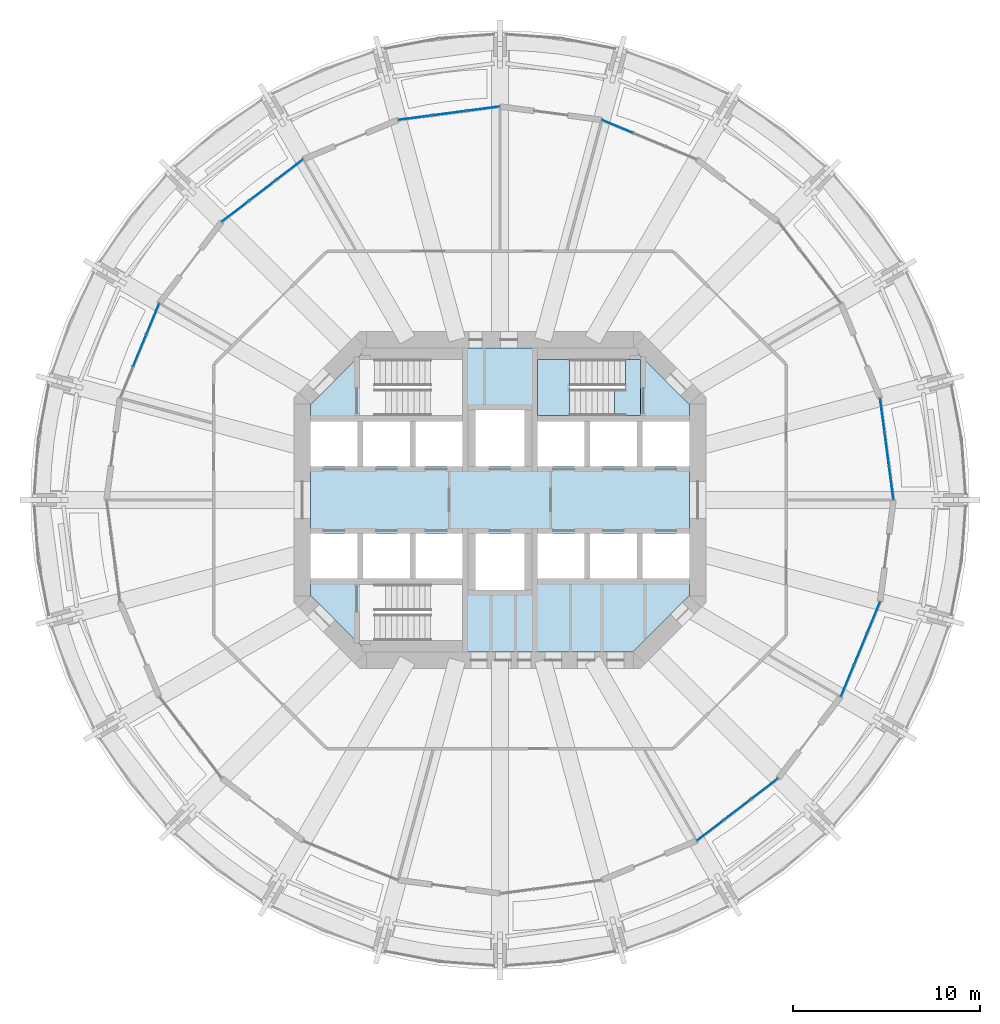
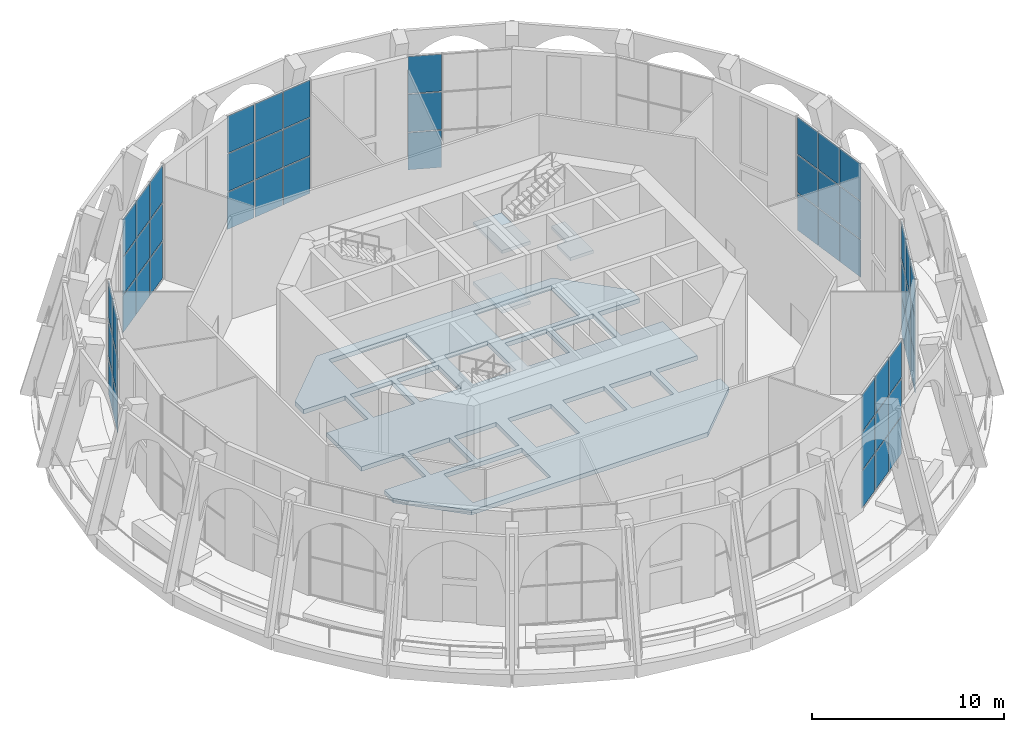
# One storey, part 10 of 18: 54 plates, 4 slabs, 8 elements without a shape of their own.
"""IFC4 building model written with IfcOpenShell, lengths in metres."""

from ifc_helpers import new_model, si_unit, direction, frame, origin, origin_2d, place, context, subcontext, project, spatial, polyline, rectangle, outline, extrude, material, layer, layer_set, type_object, element, aggregate, save


model = new_model("IFC4")

# Units and contexts
model_context = context("Model", 3, precision=1e-05, world=origin(), true_north=direction((0.0, 1.0)))
body_context = subcontext(model_context, "Body", "Model", "MODEL_VIEW")
ifc_project = project(units=[si_unit("LENGTHUNIT", "METRE"), si_unit("AREAUNIT", "SQUARE_METRE"), si_unit("VOLUMEUNIT", "CUBIC_METRE"), si_unit("PLANEANGLEUNIT", "RADIAN"), si_unit("MASSUNIT", "GRAM", prefix="KILO")], contexts=[model_context])

# Site, building, storey
site_placement = place(None, origin())
site = spatial("IfcSite", under=ifc_project, at=site_placement, CompositionType="ELEMENT")
building_placement = place(site_placement, origin())
building = spatial("IfcBuilding", under=site, at=building_placement, Name="Torre Triforio", CompositionType="ELEMENT")
storey_placement = place(building_placement, frame((0.0, 0.0, 146.60009765625)))
storey = spatial("IfcBuildingStorey", under=building, at=storey_placement, Name="L33", CompositionType="ELEMENT", Elevation=146.60009765625)

# Slab
ifc_material_1 = material(Name="Concrete C60", Category="concrete")
ifc_layer_1 = layer(ifc_material_1, 0.280029296875)
ifc_layer_set_1 = layer_set([ifc_layer_1], Name="Concrete C60")
slab_type_1 = type_object("IfcSlabType", Name="Core floor slab 280 mm C60 REI 120", PredefinedType="FLOOR", material=ifc_layer_set_1)
slab_1_placement = place(storey_placement, frame((0.0, 0.0, -0.280029296875)))
element("IfcSlab", 1, at=slab_1_placement, inside=storey, type_object=slab_type_1, Name="Core floor slab", PredefinedType="FLOOR", context=body_context, shape_type="SweptSolid", body=[
    extrude(outline(polyline([(10.10009765625, -5.10009765625), (7.10009765625, -8.10009765625), (-7.10009765625, -8.10009765625), (-10.10009765625, -5.10009765625), (-10.10009765625, -4.199951171875), (-7.60009765625, -4.199951171875), (-7.60009765625, -1.800048828125), (-10.10009765625, -1.800048828125), (-10.10009765625, 1.800048828125), (-7.60009765625, 1.800048828125), (-7.60009765625, 4.199951171875), (-10.10009765625, 4.199951171875), (-10.10009765625, 5.10009765625), (-7.10009765625, 8.10009765625), (7.10009765625, 8.10009765625), (10.10009765625, 5.10009765625), (10.10009765625, 4.199951171875), (7.60009765625, 4.199951171875), (7.60009765625, 1.800048828125), (10.10009765625, 1.800048828125), (10.10009765625, -1.800048828125), (7.60009765625, -1.800048828125), (7.60009765625, -4.199951171875), (10.10009765625, -4.199951171875), (10.10009765625, -5.10009765625)]), holes=[polyline([(-2.0, -4.5), (-6.696044921875, -4.5), (-6.696044921875, -7.5), (-2.0, -7.5), (-2.0, -4.5)]), polyline([(-4.800048828125, -1.800048828125), (-7.300048828125, -1.800048828125), (-7.300048828125, -4.199951171875), (-4.800048828125, -4.199951171875), (-4.800048828125, -1.800048828125)]), polyline([(-2.0, -1.800048828125), (-4.5, -1.800048828125), (-4.5, -4.199951171875), (-2.0, -4.199951171875), (-2.0, -1.800048828125)]), polyline([(-4.800048828125, 4.199951171875), (-7.300048828125, 4.199951171875), (-7.300048828125, 1.800048828125), (-4.800048828125, 1.800048828125), (-4.800048828125, 4.199951171875)]), polyline([(-2.0, 4.199951171875), (-4.5, 4.199951171875), (-4.5, 1.800048828125), (-2.0, 1.800048828125), (-2.0, 4.199951171875)]), polyline([(1.300048828125, 4.800048828125), (-1.300048828125, 4.800048828125), (-1.300048828125, 1.800048828125), (1.300048828125, 1.800048828125), (1.300048828125, 4.800048828125)]), polyline([(-2.0, 7.5), (-6.696044921875, 7.5), (-6.696044921875, 4.5), (-2.0, 4.5), (-2.0, 7.5)]), polyline([(1.300048828125, -1.800048828125), (-1.300048828125, -1.800048828125), (-1.300048828125, -4.800048828125), (1.300048828125, -4.800048828125), (1.300048828125, -1.800048828125)]), polyline([(4.5, -1.800048828125), (2.0, -1.800048828125), (2.0, -4.199951171875), (4.5, -4.199951171875), (4.5, -1.800048828125)]), polyline([(7.300048828125, -1.800048828125), (4.800048828125, -1.800048828125), (4.800048828125, -4.199951171875), (7.300048828125, -4.199951171875), (7.300048828125, -1.800048828125)]), polyline([(4.5, 4.199951171875), (2.0, 4.199951171875), (2.0, 1.800048828125), (4.5, 1.800048828125), (4.5, 4.199951171875)]), polyline([(7.300048828125, 4.199951171875), (4.800048828125, 4.199951171875), (4.800048828125, 1.800048828125), (7.300048828125, 1.800048828125), (7.300048828125, 4.199951171875)]), polyline([(6.696044921875, 4.5), (6.696044921875, 7.5), (2.0, 7.5), (2.0, 4.5), (6.696044921875, 4.5)])]), origin(), (0.0, 0.0, 1.0), 0.280029296875),
])

# Curtain wall, plates
ifc_material_2 = material(Name="Aluminium mullion and transom frame with clear laminated glass", Category="aluminium")
curtain_wall_type = type_object("IfcCurtainWallType", Name="Sky garden conservatory wall ECW3", PredefinedType="NOTDEFINED", material=ifc_material_2)
curtain_wall_1_placement = place(storey_placement, origin())
curtain_wall_1 = element("IfcCurtainWall", 2, at=curtain_wall_1_placement, inside=storey, type_object=curtain_wall_type, Name="Conservatory wall L33 bay 01", PredefinedType="NOTDEFINED")
ifc_material_3 = material(Name="Clear laminated glass", Category="glass")
ifc_layer_2 = layer(ifc_material_3, 0.028076171875)
ifc_layer_set_2 = layer_set([ifc_layer_2], Name="Clear laminated glass")
plate_type = type_object("IfcPlateType", Name="ECW3 glass panel 28", PredefinedType="CURTAIN_PANEL", material=ifc_layer_set_2)
plate_1_placement = place(storey_placement, frame((20.88134765625, 0.90087890625, 0.059814453125), z_axis=(0.0, 0.0, 1.0), x_axis=(-0.130530127386, 0.991444343291, 0.0)))
plate_1 = element("IfcPlate", 3, at=plate_1_placement, type_object=plate_type, Name="ECW3 panel 1.1", PredefinedType="CURTAIN_PANEL", context=body_context, shape_type="SweptSolid", body=[
    extrude(rectangle(XDim=1.75732421875, YDim=0.028076171875, at=origin_2d()), origin(), (0.0, 0.0, 1.0), 2.35009765625),
])
plate_2_placement = place(storey_placement, frame((20.88134765625, 0.90087890625, 2.469970703125), z_axis=(0.0, 0.0, 1.0), x_axis=(-0.130530127386, 0.991444343291, 0.0)))
plate_2 = element("IfcPlate", 4, at=plate_2_placement, type_object=plate_type, Name="ECW3 panel 1.2", PredefinedType="CURTAIN_PANEL", context=body_context, shape_type="SweptSolid", body=[
    extrude(rectangle(XDim=1.75732421875, YDim=0.028076171875, at=origin_2d()), origin(), (0.0, 0.0, 1.0), 2.3798828125),
])
plate_3_placement = place(storey_placement, frame((20.88134765625, 0.90087890625, 4.909912109375), z_axis=(0.0, 0.0, 1.0), x_axis=(-0.130530127386, 0.991444343291, 0.0)))
plate_3 = element("IfcPlate", 5, at=plate_3_placement, type_object=plate_type, Name="ECW3 panel 1.3", PredefinedType="CURTAIN_PANEL", context=body_context, shape_type="SweptSolid", body=[
    extrude(rectangle(XDim=1.75732421875, YDim=0.028076171875, at=origin_2d()), origin(), (0.0, 0.0, 1.0), 2.35009765625),
])
plate_4_placement = place(storey_placement, frame((20.64208984375, 2.717529296875, 0.059814453125), z_axis=(0.0, 0.0, 1.0), x_axis=(-0.130530127386, 0.991444343291, 0.0)))
plate_4 = element("IfcPlate", 6, at=plate_4_placement, type_object=plate_type, Name="ECW3 panel 2.1", PredefinedType="CURTAIN_PANEL", context=body_context, shape_type="SweptSolid", body=[
    extrude(rectangle(XDim=1.787353515625, YDim=0.028076171875, at=origin_2d()), origin(), (0.0, 0.0, 1.0), 2.35009765625),
])
plate_5_placement = place(storey_placement, frame((20.64208984375, 2.717529296875, 2.469970703125), z_axis=(0.0, 0.0, 1.0), x_axis=(-0.130530127386, 0.991444343291, 0.0)))
plate_5 = element("IfcPlate", 7, at=plate_5_placement, type_object=plate_type, Name="ECW3 panel 2.2", PredefinedType="CURTAIN_PANEL", context=body_context, shape_type="SweptSolid", body=[
    extrude(rectangle(XDim=1.787353515625, YDim=0.028076171875, at=origin_2d()), origin(), (0.0, 0.0, 1.0), 2.3798828125),
])
plate_6_placement = place(storey_placement, frame((20.64208984375, 2.717529296875, 4.909912109375), z_axis=(0.0, 0.0, 1.0), x_axis=(-0.130530127386, 0.991444343291, 0.0)))
plate_6 = element("IfcPlate", 8, at=plate_6_placement, type_object=plate_type, Name="ECW3 panel 2.3", PredefinedType="CURTAIN_PANEL", context=body_context, shape_type="SweptSolid", body=[
    extrude(rectangle(XDim=1.787353515625, YDim=0.028076171875, at=origin_2d()), origin(), (0.0, 0.0, 1.0), 2.35009765625),
])
plate_7_placement = place(storey_placement, frame((20.403076171875, 4.5341796875, 0.059814453125), z_axis=(0.0, 0.0, 1.0), x_axis=(-0.130530127386, 0.991444343291, 0.0)))
plate_7 = element("IfcPlate", 9, at=plate_7_placement, type_object=plate_type, Name="ECW3 panel 3.1", PredefinedType="CURTAIN_PANEL", context=body_context, shape_type="SweptSolid", body=[
    extrude(rectangle(XDim=1.75732421875, YDim=0.028076171875, at=origin_2d()), origin(), (0.0, 0.0, 1.0), 2.35009765625),
])
plate_8_placement = place(storey_placement, frame((20.403076171875, 4.5341796875, 2.469970703125), z_axis=(0.0, 0.0, 1.0), x_axis=(-0.130530127386, 0.991444343291, 0.0)))
plate_8 = element("IfcPlate", 10, at=plate_8_placement, type_object=plate_type, Name="ECW3 panel 3.2", PredefinedType="CURTAIN_PANEL", context=body_context, shape_type="SweptSolid", body=[
    extrude(rectangle(XDim=1.75732421875, YDim=0.028076171875, at=origin_2d()), origin(), (0.0, 0.0, 1.0), 2.3798828125),
])
plate_9_placement = place(storey_placement, frame((20.403076171875, 4.5341796875, 4.909912109375), z_axis=(0.0, 0.0, 1.0), x_axis=(-0.130530127386, 0.991444343291, 0.0)))
plate_9 = element("IfcPlate", 11, at=plate_9_placement, type_object=plate_type, Name="ECW3 panel 3.3", PredefinedType="CURTAIN_PANEL", context=body_context, shape_type="SweptSolid", body=[
    extrude(rectangle(XDim=1.75732421875, YDim=0.028076171875, at=origin_2d()), origin(), (0.0, 0.0, 1.0), 2.35009765625),
])
aggregate(curtain_wall_1, [plate_1, plate_2, plate_3, plate_4, plate_5, plate_6, plate_7, plate_8, plate_9])

curtain_wall_2_placement = place(storey_placement, origin())
curtain_wall_2 = element("IfcCurtainWall", 12, at=curtain_wall_2_placement, inside=storey, type_object=curtain_wall_type, Name="Conservatory wall L33 bay 05", PredefinedType="NOTDEFINED")
plate_10_placement = place(storey_placement, frame((6.274658203125, 19.936767578125, 0.059814453125), z_axis=(0.0, 0.0, 1.0), x_axis=(-0.923883122974, 0.382674764107, 0.0)))
plate_10 = element("IfcPlate", 13, at=plate_10_placement, type_object=plate_type, Name="ECW3 panel 3.1", PredefinedType="CURTAIN_PANEL", context=body_context, shape_type="SweptSolid", body=[
    extrude(rectangle(XDim=1.75732421875, YDim=0.028076171875, at=origin_2d()), origin(), (0.0, 0.0, 1.0), 2.35009765625),
])
plate_11_placement = place(storey_placement, frame((6.274658203125, 19.936767578125, 2.469970703125), z_axis=(0.0, 0.0, 1.0), x_axis=(-0.923883122974, 0.382674764107, 0.0)))
plate_11 = element("IfcPlate", 14, at=plate_11_placement, type_object=plate_type, Name="ECW3 panel 3.2", PredefinedType="CURTAIN_PANEL", context=body_context, shape_type="SweptSolid", body=[
    extrude(rectangle(XDim=1.75732421875, YDim=0.028076171875, at=origin_2d()), origin(), (0.0, 0.0, 1.0), 2.3798828125),
])
plate_12_placement = place(storey_placement, frame((6.274658203125, 19.936767578125, 4.909912109375), z_axis=(0.0, 0.0, 1.0), x_axis=(-0.923883122974, 0.382674764107, 0.0)))
plate_12 = element("IfcPlate", 15, at=plate_12_placement, type_object=plate_type, Name="ECW3 panel 3.3", PredefinedType="CURTAIN_PANEL", context=body_context, shape_type="SweptSolid", body=[
    extrude(rectangle(XDim=1.75732421875, YDim=0.028076171875, at=origin_2d()), origin(), (0.0, 0.0, 1.0), 2.35009765625),
])
aggregate(curtain_wall_2, [plate_10, plate_11, plate_12])

curtain_wall_3_placement = place(storey_placement, origin())
curtain_wall_3 = element("IfcCurtainWall", 16, at=curtain_wall_3_placement, inside=storey, type_object=curtain_wall_type, Name="Conservatory wall L33 bay 07", PredefinedType="NOTDEFINED")
plate_13_placement = place(storey_placement, frame((-0.90087890625, 20.88134765625, 0.059814453125), z_axis=(0.0, 0.0, 1.0), x_axis=(-0.991444343291, -0.130530127386, 0.0)))
plate_13 = element("IfcPlate", 17, at=plate_13_placement, type_object=plate_type, Name="ECW3 panel 1.1", PredefinedType="CURTAIN_PANEL", context=body_context, shape_type="SweptSolid", body=[
    extrude(rectangle(XDim=1.75732421875, YDim=0.028076171875, at=origin_2d()), origin(), (0.0, 0.0, 1.0), 2.35009765625),
])
plate_14_placement = place(storey_placement, frame((-0.90087890625, 20.88134765625, 2.469970703125), z_axis=(0.0, 0.0, 1.0), x_axis=(-0.991444343291, -0.130530127386, 0.0)))
plate_14 = element("IfcPlate", 18, at=plate_14_placement, type_object=plate_type, Name="ECW3 panel 1.2", PredefinedType="CURTAIN_PANEL", context=body_context, shape_type="SweptSolid", body=[
    extrude(rectangle(XDim=1.75732421875, YDim=0.028076171875, at=origin_2d()), origin(), (0.0, 0.0, 1.0), 2.3798828125),
])
plate_15_placement = place(storey_placement, frame((-0.90087890625, 20.88134765625, 4.909912109375), z_axis=(0.0, 0.0, 1.0), x_axis=(-0.991444343291, -0.130530127386, 0.0)))
plate_15 = element("IfcPlate", 19, at=plate_15_placement, type_object=plate_type, Name="ECW3 panel 1.3", PredefinedType="CURTAIN_PANEL", context=body_context, shape_type="SweptSolid", body=[
    extrude(rectangle(XDim=1.75732421875, YDim=0.028076171875, at=origin_2d()), origin(), (0.0, 0.0, 1.0), 2.35009765625),
])
plate_16_placement = place(storey_placement, frame((-2.717529296875, 20.64208984375, 0.059814453125), z_axis=(0.0, 0.0, 1.0), x_axis=(-0.991444343291, -0.130530127386, 0.0)))
plate_16 = element("IfcPlate", 20, at=plate_16_placement, type_object=plate_type, Name="ECW3 panel 2.1", PredefinedType="CURTAIN_PANEL", context=body_context, shape_type="SweptSolid", body=[
    extrude(rectangle(XDim=1.787353515625, YDim=0.028076171875, at=origin_2d()), origin(), (0.0, 0.0, 1.0), 2.35009765625),
])
plate_17_placement = place(storey_placement, frame((-2.717529296875, 20.64208984375, 2.469970703125), z_axis=(0.0, 0.0, 1.0), x_axis=(-0.991444343291, -0.130530127386, 0.0)))
plate_17 = element("IfcPlate", 21, at=plate_17_placement, type_object=plate_type, Name="ECW3 panel 2.2", PredefinedType="CURTAIN_PANEL", context=body_context, shape_type="SweptSolid", body=[
    extrude(rectangle(XDim=1.787353515625, YDim=0.028076171875, at=origin_2d()), origin(), (0.0, 0.0, 1.0), 2.3798828125),
])
plate_18_placement = place(storey_placement, frame((-2.717529296875, 20.64208984375, 4.909912109375), z_axis=(0.0, 0.0, 1.0), x_axis=(-0.991444343291, -0.130530127386, 0.0)))
plate_18 = element("IfcPlate", 22, at=plate_18_placement, type_object=plate_type, Name="ECW3 panel 2.3", PredefinedType="CURTAIN_PANEL", context=body_context, shape_type="SweptSolid", body=[
    extrude(rectangle(XDim=1.787353515625, YDim=0.028076171875, at=origin_2d()), origin(), (0.0, 0.0, 1.0), 2.35009765625),
])
plate_19_placement = place(storey_placement, frame((-4.5341796875, 20.403076171875, 0.059814453125), z_axis=(0.0, 0.0, 1.0), x_axis=(-0.991444343291, -0.130530127386, 0.0)))
plate_19 = element("IfcPlate", 23, at=plate_19_placement, type_object=plate_type, Name="ECW3 panel 3.1", PredefinedType="CURTAIN_PANEL", context=body_context, shape_type="SweptSolid", body=[
    extrude(rectangle(XDim=1.75732421875, YDim=0.028076171875, at=origin_2d()), origin(), (0.0, 0.0, 1.0), 2.35009765625),
])
plate_20_placement = place(storey_placement, frame((-4.5341796875, 20.403076171875, 2.469970703125), z_axis=(0.0, 0.0, 1.0), x_axis=(-0.991444343291, -0.130530127386, 0.0)))
plate_20 = element("IfcPlate", 24, at=plate_20_placement, type_object=plate_type, Name="ECW3 panel 3.2", PredefinedType="CURTAIN_PANEL", context=body_context, shape_type="SweptSolid", body=[
    extrude(rectangle(XDim=1.75732421875, YDim=0.028076171875, at=origin_2d()), origin(), (0.0, 0.0, 1.0), 2.3798828125),
])
plate_21_placement = place(storey_placement, frame((-4.5341796875, 20.403076171875, 4.909912109375), z_axis=(0.0, 0.0, 1.0), x_axis=(-0.991444343291, -0.130530127386, 0.0)))
plate_21 = element("IfcPlate", 25, at=plate_21_placement, type_object=plate_type, Name="ECW3 panel 3.3", PredefinedType="CURTAIN_PANEL", context=body_context, shape_type="SweptSolid", body=[
    extrude(rectangle(XDim=1.75732421875, YDim=0.028076171875, at=origin_2d()), origin(), (0.0, 0.0, 1.0), 2.35009765625),
])
aggregate(curtain_wall_3, [plate_13, plate_14, plate_15, plate_16, plate_17, plate_18, plate_19, plate_20, plate_21])

curtain_wall_4_placement = place(storey_placement, origin())
curtain_wall_4 = element("IfcCurtainWall", 26, at=curtain_wall_4_placement, inside=storey, type_object=curtain_wall_type, Name="Conservatory wall L33 bay 09", PredefinedType="NOTDEFINED")
plate_22_placement = place(storey_placement, frame((-11.220947265625, 17.63330078125, 0.059814453125), z_axis=(0.0, 0.0, 1.0), x_axis=(-0.793351885029, -0.608763325538, 0.0)))
plate_22 = element("IfcPlate", 27, at=plate_22_placement, type_object=plate_type, Name="ECW3 panel 1.1", PredefinedType="CURTAIN_PANEL", context=body_context, shape_type="SweptSolid", body=[
    extrude(rectangle(XDim=1.75732421875, YDim=0.028076171875, at=origin_2d()), origin(), (0.0, 0.0, 1.0), 2.35009765625),
])
plate_23_placement = place(storey_placement, frame((-11.220947265625, 17.63330078125, 2.469970703125), z_axis=(0.0, 0.0, 1.0), x_axis=(-0.793351885029, -0.608763325538, 0.0)))
plate_23 = element("IfcPlate", 28, at=plate_23_placement, type_object=plate_type, Name="ECW3 panel 1.2", PredefinedType="CURTAIN_PANEL", context=body_context, shape_type="SweptSolid", body=[
    extrude(rectangle(XDim=1.75732421875, YDim=0.028076171875, at=origin_2d()), origin(), (0.0, 0.0, 1.0), 2.3798828125),
])
plate_24_placement = place(storey_placement, frame((-11.220947265625, 17.63330078125, 4.909912109375), z_axis=(0.0, 0.0, 1.0), x_axis=(-0.793351885029, -0.608763325538, 0.0)))
plate_24 = element("IfcPlate", 29, at=plate_24_placement, type_object=plate_type, Name="ECW3 panel 1.3", PredefinedType="CURTAIN_PANEL", context=body_context, shape_type="SweptSolid", body=[
    extrude(rectangle(XDim=1.75732421875, YDim=0.028076171875, at=origin_2d()), origin(), (0.0, 0.0, 1.0), 2.35009765625),
])
plate_25_placement = place(storey_placement, frame((-12.674560546875, 16.517822265625, 0.059814453125), z_axis=(0.0, 0.0, 1.0), x_axis=(-0.793351885029, -0.608763325538, 0.0)))
plate_25 = element("IfcPlate", 30, at=plate_25_placement, type_object=plate_type, Name="ECW3 panel 2.1", PredefinedType="CURTAIN_PANEL", context=body_context, shape_type="SweptSolid", body=[
    extrude(rectangle(XDim=1.787353515625, YDim=0.028076171875, at=origin_2d()), origin(), (0.0, 0.0, 1.0), 2.35009765625),
])
plate_26_placement = place(storey_placement, frame((-12.674560546875, 16.517822265625, 2.469970703125), z_axis=(0.0, 0.0, 1.0), x_axis=(-0.793351885029, -0.608763325538, 0.0)))
plate_26 = element("IfcPlate", 31, at=plate_26_placement, type_object=plate_type, Name="ECW3 panel 2.2", PredefinedType="CURTAIN_PANEL", context=body_context, shape_type="SweptSolid", body=[
    extrude(rectangle(XDim=1.787353515625, YDim=0.028076171875, at=origin_2d()), origin(), (0.0, 0.0, 1.0), 2.3798828125),
])
plate_27_placement = place(storey_placement, frame((-12.674560546875, 16.517822265625, 4.909912109375), z_axis=(0.0, 0.0, 1.0), x_axis=(-0.793351885029, -0.608763325538, 0.0)))
plate_27 = element("IfcPlate", 32, at=plate_27_placement, type_object=plate_type, Name="ECW3 panel 2.3", PredefinedType="CURTAIN_PANEL", context=body_context, shape_type="SweptSolid", body=[
    extrude(rectangle(XDim=1.787353515625, YDim=0.028076171875, at=origin_2d()), origin(), (0.0, 0.0, 1.0), 2.35009765625),
])
plate_28_placement = place(storey_placement, frame((-14.12841796875, 15.40234375, 0.059814453125), z_axis=(0.0, 0.0, 1.0), x_axis=(-0.793351885029, -0.608763325538, 0.0)))
plate_28 = element("IfcPlate", 33, at=plate_28_placement, type_object=plate_type, Name="ECW3 panel 3.1", PredefinedType="CURTAIN_PANEL", context=body_context, shape_type="SweptSolid", body=[
    extrude(rectangle(XDim=1.75732421875, YDim=0.028076171875, at=origin_2d()), origin(), (0.0, 0.0, 1.0), 2.35009765625),
])
plate_29_placement = place(storey_placement, frame((-14.12841796875, 15.40234375, 2.469970703125), z_axis=(0.0, 0.0, 1.0), x_axis=(-0.793351885029, -0.608763325538, 0.0)))
plate_29 = element("IfcPlate", 34, at=plate_29_placement, type_object=plate_type, Name="ECW3 panel 3.2", PredefinedType="CURTAIN_PANEL", context=body_context, shape_type="SweptSolid", body=[
    extrude(rectangle(XDim=1.75732421875, YDim=0.028076171875, at=origin_2d()), origin(), (0.0, 0.0, 1.0), 2.3798828125),
])
plate_30_placement = place(storey_placement, frame((-14.12841796875, 15.40234375, 4.909912109375), z_axis=(0.0, 0.0, 1.0), x_axis=(-0.793351885029, -0.608763325538, 0.0)))
plate_30 = element("IfcPlate", 35, at=plate_30_placement, type_object=plate_type, Name="ECW3 panel 3.3", PredefinedType="CURTAIN_PANEL", context=body_context, shape_type="SweptSolid", body=[
    extrude(rectangle(XDim=1.75732421875, YDim=0.028076171875, at=origin_2d()), origin(), (0.0, 0.0, 1.0), 2.35009765625),
])
aggregate(curtain_wall_4, [plate_22, plate_23, plate_24, plate_25, plate_26, plate_27, plate_28, plate_29, plate_30])

curtain_wall_5_placement = place(storey_placement, origin())
curtain_wall_5 = element("IfcCurtainWall", 36, at=curtain_wall_5_placement, inside=storey, type_object=curtain_wall_type, Name="Conservatory wall L33 bay 11", PredefinedType="NOTDEFINED")
plate_31_placement = place(storey_placement, frame((-18.534423828125, 9.660400390625, 0.059814453125), z_axis=(0.0, 0.0, 1.0), x_axis=(-0.382674764107, -0.923883122974, 0.0)))
plate_31 = element("IfcPlate", 37, at=plate_31_placement, type_object=plate_type, Name="ECW3 panel 1.1", PredefinedType="CURTAIN_PANEL", context=body_context, shape_type="SweptSolid", body=[
    extrude(rectangle(XDim=1.75732421875, YDim=0.028076171875, at=origin_2d()), origin(), (0.0, 0.0, 1.0), 2.35009765625),
])
plate_32_placement = place(storey_placement, frame((-18.534423828125, 9.660400390625, 2.469970703125), z_axis=(0.0, 0.0, 1.0), x_axis=(-0.382674764107, -0.923883122974, 0.0)))
plate_32 = element("IfcPlate", 38, at=plate_32_placement, type_object=plate_type, Name="ECW3 panel 1.2", PredefinedType="CURTAIN_PANEL", context=body_context, shape_type="SweptSolid", body=[
    extrude(rectangle(XDim=1.75732421875, YDim=0.028076171875, at=origin_2d()), origin(), (0.0, 0.0, 1.0), 2.3798828125),
])
plate_33_placement = place(storey_placement, frame((-18.534423828125, 9.660400390625, 4.909912109375), z_axis=(0.0, 0.0, 1.0), x_axis=(-0.382674764107, -0.923883122974, 0.0)))
plate_33 = element("IfcPlate", 39, at=plate_33_placement, type_object=plate_type, Name="ECW3 panel 1.3", PredefinedType="CURTAIN_PANEL", context=body_context, shape_type="SweptSolid", body=[
    extrude(rectangle(XDim=1.75732421875, YDim=0.028076171875, at=origin_2d()), origin(), (0.0, 0.0, 1.0), 2.35009765625),
])
plate_34_placement = place(storey_placement, frame((-19.235595703125, 7.967529296875, 0.059814453125), z_axis=(0.0, 0.0, 1.0), x_axis=(-0.382674764107, -0.923883122974, 0.0)))
plate_34 = element("IfcPlate", 40, at=plate_34_placement, type_object=plate_type, Name="ECW3 panel 2.1", PredefinedType="CURTAIN_PANEL", context=body_context, shape_type="SweptSolid", body=[
    extrude(rectangle(XDim=1.787353515625, YDim=0.028076171875, at=origin_2d()), origin(), (0.0, 0.0, 1.0), 2.35009765625),
])
plate_35_placement = place(storey_placement, frame((-19.235595703125, 7.967529296875, 2.469970703125), z_axis=(0.0, 0.0, 1.0), x_axis=(-0.382674764107, -0.923883122974, 0.0)))
plate_35 = element("IfcPlate", 41, at=plate_35_placement, type_object=plate_type, Name="ECW3 panel 2.2", PredefinedType="CURTAIN_PANEL", context=body_context, shape_type="SweptSolid", body=[
    extrude(rectangle(XDim=1.787353515625, YDim=0.028076171875, at=origin_2d()), origin(), (0.0, 0.0, 1.0), 2.3798828125),
])
plate_36_placement = place(storey_placement, frame((-19.235595703125, 7.967529296875, 4.909912109375), z_axis=(0.0, 0.0, 1.0), x_axis=(-0.382674764107, -0.923883122974, 0.0)))
plate_36 = element("IfcPlate", 42, at=plate_36_placement, type_object=plate_type, Name="ECW3 panel 2.3", PredefinedType="CURTAIN_PANEL", context=body_context, shape_type="SweptSolid", body=[
    extrude(rectangle(XDim=1.787353515625, YDim=0.028076171875, at=origin_2d()), origin(), (0.0, 0.0, 1.0), 2.35009765625),
])
aggregate(curtain_wall_5, [plate_31, plate_32, plate_33, plate_34, plate_35, plate_36])

curtain_wall_6_placement = place(storey_placement, origin())
curtain_wall_6 = element("IfcCurtainWall", 43, at=curtain_wall_6_placement, inside=storey, type_object=curtain_wall_type, Name="Conservatory wall L33 bay 21", PredefinedType="NOTDEFINED")
plate_37_placement = place(storey_placement, frame((11.220947265625, -17.63330078125, 0.059814453125), z_axis=(0.0, 0.0, 1.0), x_axis=(0.793351885029, 0.608763325538, 0.0)))
plate_37 = element("IfcPlate", 44, at=plate_37_placement, type_object=plate_type, Name="ECW3 panel 1.1", PredefinedType="CURTAIN_PANEL", context=body_context, shape_type="SweptSolid", body=[
    extrude(rectangle(XDim=1.75732421875, YDim=0.028076171875, at=origin_2d()), origin(), (0.0, 0.0, 1.0), 2.35009765625),
])
plate_38_placement = place(storey_placement, frame((11.220947265625, -17.63330078125, 2.469970703125), z_axis=(0.0, 0.0, 1.0), x_axis=(0.793351885029, 0.608763325538, 0.0)))
plate_38 = element("IfcPlate", 45, at=plate_38_placement, type_object=plate_type, Name="ECW3 panel 1.2", PredefinedType="CURTAIN_PANEL", context=body_context, shape_type="SweptSolid", body=[
    extrude(rectangle(XDim=1.75732421875, YDim=0.028076171875, at=origin_2d()), origin(), (0.0, 0.0, 1.0), 2.3798828125),
])
plate_39_placement = place(storey_placement, frame((11.220947265625, -17.63330078125, 4.909912109375), z_axis=(0.0, 0.0, 1.0), x_axis=(0.793351885029, 0.608763325538, 0.0)))
plate_39 = element("IfcPlate", 46, at=plate_39_placement, type_object=plate_type, Name="ECW3 panel 1.3", PredefinedType="CURTAIN_PANEL", context=body_context, shape_type="SweptSolid", body=[
    extrude(rectangle(XDim=1.75732421875, YDim=0.028076171875, at=origin_2d()), origin(), (0.0, 0.0, 1.0), 2.35009765625),
])
plate_40_placement = place(storey_placement, frame((12.674560546875, -16.517822265625, 0.059814453125), z_axis=(0.0, 0.0, 1.0), x_axis=(0.793351885029, 0.608763325538, 0.0)))
plate_40 = element("IfcPlate", 47, at=plate_40_placement, type_object=plate_type, Name="ECW3 panel 2.1", PredefinedType="CURTAIN_PANEL", context=body_context, shape_type="SweptSolid", body=[
    extrude(rectangle(XDim=1.787353515625, YDim=0.028076171875, at=origin_2d()), origin(), (0.0, 0.0, 1.0), 2.35009765625),
])
plate_41_placement = place(storey_placement, frame((12.674560546875, -16.517822265625, 2.469970703125), z_axis=(0.0, 0.0, 1.0), x_axis=(0.793351885029, 0.608763325538, 0.0)))
plate_41 = element("IfcPlate", 48, at=plate_41_placement, type_object=plate_type, Name="ECW3 panel 2.2", PredefinedType="CURTAIN_PANEL", context=body_context, shape_type="SweptSolid", body=[
    extrude(rectangle(XDim=1.787353515625, YDim=0.028076171875, at=origin_2d()), origin(), (0.0, 0.0, 1.0), 2.3798828125),
])
plate_42_placement = place(storey_placement, frame((12.674560546875, -16.517822265625, 4.909912109375), z_axis=(0.0, 0.0, 1.0), x_axis=(0.793351885029, 0.608763325538, 0.0)))
plate_42 = element("IfcPlate", 49, at=plate_42_placement, type_object=plate_type, Name="ECW3 panel 2.3", PredefinedType="CURTAIN_PANEL", context=body_context, shape_type="SweptSolid", body=[
    extrude(rectangle(XDim=1.787353515625, YDim=0.028076171875, at=origin_2d()), origin(), (0.0, 0.0, 1.0), 2.35009765625),
])
plate_43_placement = place(storey_placement, frame((14.12841796875, -15.40234375, 0.059814453125), z_axis=(0.0, 0.0, 1.0), x_axis=(0.793351885029, 0.608763325538, 0.0)))
plate_43 = element("IfcPlate", 50, at=plate_43_placement, type_object=plate_type, Name="ECW3 panel 3.1", PredefinedType="CURTAIN_PANEL", context=body_context, shape_type="SweptSolid", body=[
    extrude(rectangle(XDim=1.75732421875, YDim=0.028076171875, at=origin_2d()), origin(), (0.0, 0.0, 1.0), 2.35009765625),
])
plate_44_placement = place(storey_placement, frame((14.12841796875, -15.40234375, 2.469970703125), z_axis=(0.0, 0.0, 1.0), x_axis=(0.793351885029, 0.608763325538, 0.0)))
plate_44 = element("IfcPlate", 51, at=plate_44_placement, type_object=plate_type, Name="ECW3 panel 3.2", PredefinedType="CURTAIN_PANEL", context=body_context, shape_type="SweptSolid", body=[
    extrude(rectangle(XDim=1.75732421875, YDim=0.028076171875, at=origin_2d()), origin(), (0.0, 0.0, 1.0), 2.3798828125),
])
plate_45_placement = place(storey_placement, frame((14.12841796875, -15.40234375, 4.909912109375), z_axis=(0.0, 0.0, 1.0), x_axis=(0.793351885029, 0.608763325538, 0.0)))
plate_45 = element("IfcPlate", 52, at=plate_45_placement, type_object=plate_type, Name="ECW3 panel 3.3", PredefinedType="CURTAIN_PANEL", context=body_context, shape_type="SweptSolid", body=[
    extrude(rectangle(XDim=1.75732421875, YDim=0.028076171875, at=origin_2d()), origin(), (0.0, 0.0, 1.0), 2.35009765625),
])
aggregate(curtain_wall_6, [plate_37, plate_38, plate_39, plate_40, plate_41, plate_42, plate_43, plate_44, plate_45])

curtain_wall_7_placement = place(storey_placement, origin())
curtain_wall_7 = element("IfcCurtainWall", 53, at=curtain_wall_7_placement, inside=storey, type_object=curtain_wall_type, Name="Conservatory wall L33 bay 23", PredefinedType="NOTDEFINED")
plate_46_placement = place(storey_placement, frame((18.534423828125, -9.660400390625, 0.059814453125), z_axis=(0.0, 0.0, 1.0), x_axis=(0.382674764107, 0.923883122974, 0.0)))
plate_46 = element("IfcPlate", 54, at=plate_46_placement, type_object=plate_type, Name="ECW3 panel 1.1", PredefinedType="CURTAIN_PANEL", context=body_context, shape_type="SweptSolid", body=[
    extrude(rectangle(XDim=1.75732421875, YDim=0.028076171875, at=origin_2d()), origin(), (0.0, 0.0, 1.0), 2.35009765625),
])
plate_47_placement = place(storey_placement, frame((18.534423828125, -9.660400390625, 2.469970703125), z_axis=(0.0, 0.0, 1.0), x_axis=(0.382674764107, 0.923883122974, 0.0)))
plate_47 = element("IfcPlate", 55, at=plate_47_placement, type_object=plate_type, Name="ECW3 panel 1.2", PredefinedType="CURTAIN_PANEL", context=body_context, shape_type="SweptSolid", body=[
    extrude(rectangle(XDim=1.75732421875, YDim=0.028076171875, at=origin_2d()), origin(), (0.0, 0.0, 1.0), 2.3798828125),
])
plate_48_placement = place(storey_placement, frame((18.534423828125, -9.660400390625, 4.909912109375), z_axis=(0.0, 0.0, 1.0), x_axis=(0.382674764107, 0.923883122974, 0.0)))
plate_48 = element("IfcPlate", 56, at=plate_48_placement, type_object=plate_type, Name="ECW3 panel 1.3", PredefinedType="CURTAIN_PANEL", context=body_context, shape_type="SweptSolid", body=[
    extrude(rectangle(XDim=1.75732421875, YDim=0.028076171875, at=origin_2d()), origin(), (0.0, 0.0, 1.0), 2.35009765625),
])
plate_49_placement = place(storey_placement, frame((19.235595703125, -7.967529296875, 0.059814453125), z_axis=(0.0, 0.0, 1.0), x_axis=(0.382674764107, 0.923883122974, 0.0)))
plate_49 = element("IfcPlate", 57, at=plate_49_placement, type_object=plate_type, Name="ECW3 panel 2.1", PredefinedType="CURTAIN_PANEL", context=body_context, shape_type="SweptSolid", body=[
    extrude(rectangle(XDim=1.787353515625, YDim=0.028076171875, at=origin_2d()), origin(), (0.0, 0.0, 1.0), 2.35009765625),
])
plate_50_placement = place(storey_placement, frame((19.235595703125, -7.967529296875, 2.469970703125), z_axis=(0.0, 0.0, 1.0), x_axis=(0.382674764107, 0.923883122974, 0.0)))
plate_50 = element("IfcPlate", 58, at=plate_50_placement, type_object=plate_type, Name="ECW3 panel 2.2", PredefinedType="CURTAIN_PANEL", context=body_context, shape_type="SweptSolid", body=[
    extrude(rectangle(XDim=1.787353515625, YDim=0.028076171875, at=origin_2d()), origin(), (0.0, 0.0, 1.0), 2.3798828125),
])
plate_51_placement = place(storey_placement, frame((19.235595703125, -7.967529296875, 4.909912109375), z_axis=(0.0, 0.0, 1.0), x_axis=(0.382674764107, 0.923883122974, 0.0)))
plate_51 = element("IfcPlate", 59, at=plate_51_placement, type_object=plate_type, Name="ECW3 panel 2.3", PredefinedType="CURTAIN_PANEL", context=body_context, shape_type="SweptSolid", body=[
    extrude(rectangle(XDim=1.787353515625, YDim=0.028076171875, at=origin_2d()), origin(), (0.0, 0.0, 1.0), 2.35009765625),
])
plate_52_placement = place(storey_placement, frame((19.936767578125, -6.274658203125, 0.059814453125), z_axis=(0.0, 0.0, 1.0), x_axis=(0.382674764107, 0.923883122974, 0.0)))
plate_52 = element("IfcPlate", 60, at=plate_52_placement, type_object=plate_type, Name="ECW3 panel 3.1", PredefinedType="CURTAIN_PANEL", context=body_context, shape_type="SweptSolid", body=[
    extrude(rectangle(XDim=1.75732421875, YDim=0.028076171875, at=origin_2d()), origin(), (0.0, 0.0, 1.0), 2.35009765625),
])
plate_53_placement = place(storey_placement, frame((19.936767578125, -6.274658203125, 2.469970703125), z_axis=(0.0, 0.0, 1.0), x_axis=(0.382674764107, 0.923883122974, 0.0)))
plate_53 = element("IfcPlate", 61, at=plate_53_placement, type_object=plate_type, Name="ECW3 panel 3.2", PredefinedType="CURTAIN_PANEL", context=body_context, shape_type="SweptSolid", body=[
    extrude(rectangle(XDim=1.75732421875, YDim=0.028076171875, at=origin_2d()), origin(), (0.0, 0.0, 1.0), 2.3798828125),
])
plate_54_placement = place(storey_placement, frame((19.936767578125, -6.274658203125, 4.909912109375), z_axis=(0.0, 0.0, 1.0), x_axis=(0.382674764107, 0.923883122974, 0.0)))
plate_54 = element("IfcPlate", 62, at=plate_54_placement, type_object=plate_type, Name="ECW3 panel 3.3", PredefinedType="CURTAIN_PANEL", context=body_context, shape_type="SweptSolid", body=[
    extrude(rectangle(XDim=1.75732421875, YDim=0.028076171875, at=origin_2d()), origin(), (0.0, 0.0, 1.0), 2.35009765625),
])
aggregate(curtain_wall_7, [plate_46, plate_47, plate_48, plate_49, plate_50, plate_51, plate_52, plate_53, plate_54])

# Stair, slabs
ifc_material_4 = material(Name="Concrete C40", Category="concrete")
stair_type = type_object("IfcStairType", Name="STAIR DOUBLE RETURN", PredefinedType="DOUBLE_RETURN_STAIR", material=ifc_material_4)
stair_placement = place(storey_placement, origin())
stair = element("IfcStair", 63, at=stair_placement, inside=storey, type_object=stair_type, Name="Exit stair 2", PredefinedType="DOUBLE_RETURN_STAIR")
ifc_layer_3 = layer(ifc_material_4, 0.199951171875)
ifc_layer_set_3 = layer_set([ifc_layer_3], Name="Concrete C40")
slab_type_2 = type_object("IfcSlabType", Name="STAIR LANDING 200", PredefinedType="LANDING", material=ifc_layer_set_3)
slab_2_placement = place(storey_placement, frame((0.0, 0.0, 1.699951171875)))
slab_2 = element("IfcSlab", 64, at=slab_2_placement, type_object=slab_type_2, Name="ST2 landing 1", PredefinedType="LANDING", context=body_context, shape_type="SweptSolid", body=[
    extrude(outline(polyline([(3.699951171875, 4.5), (3.699951171875, 7.5), (2.0, 7.5), (2.0, 4.5), (3.699951171875, 4.5)])), origin(), (0.0, 0.0, 1.0), 0.199951171875),
])
slab_3_placement = place(storey_placement, frame((0.0, 0.0, 3.599853515625)))
slab_3 = element("IfcSlab", 65, at=slab_3_placement, type_object=slab_type_2, Name="ST2 landing 2", PredefinedType="LANDING", context=body_context, shape_type="SweptSolid", body=[
    extrude(outline(polyline([(6.10009765625, 4.5), (6.10009765625, 5.89990234375), (6.696044921875, 5.89990234375), (6.696044921875, 7.5), (7.5, 7.5), (7.5, 4.5), (6.699951171875, 4.5), (6.696044921875, 4.5), (6.10009765625, 4.5)])), origin(), (0.0, 0.0, 1.0), 0.199951171875),
])
slab_4_placement = place(storey_placement, frame((0.0, 0.0, 5.5)))
slab_4 = element("IfcSlab", 66, at=slab_4_placement, type_object=slab_type_2, Name="ST2 landing 3", PredefinedType="LANDING", context=body_context, shape_type="SweptSolid", body=[
    extrude(outline(polyline([(3.699951171875, 4.5), (3.699951171875, 7.5), (2.0, 7.5), (2.0, 4.5), (3.699951171875, 4.5)])), origin(), (0.0, 0.0, 1.0), 0.199951171875),
])
aggregate(stair, [slab_2, slab_3, slab_4])

save(model, "model.ifc")
